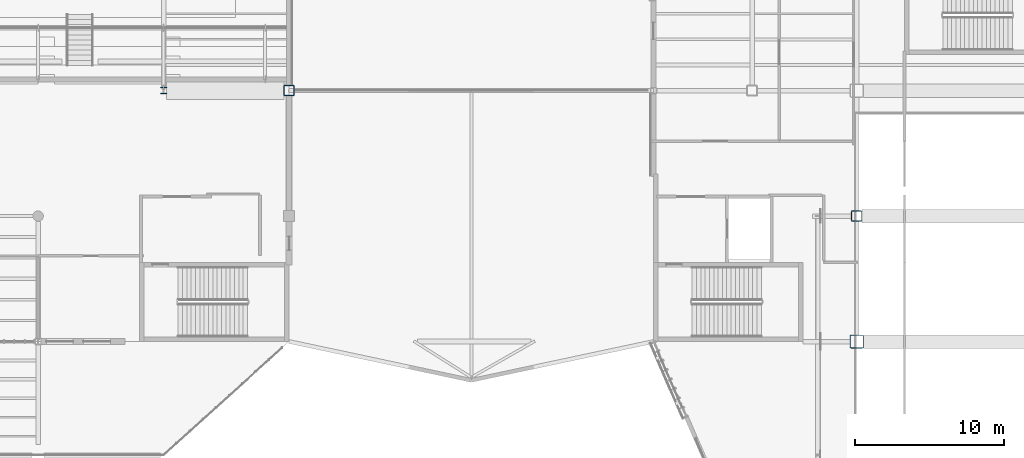
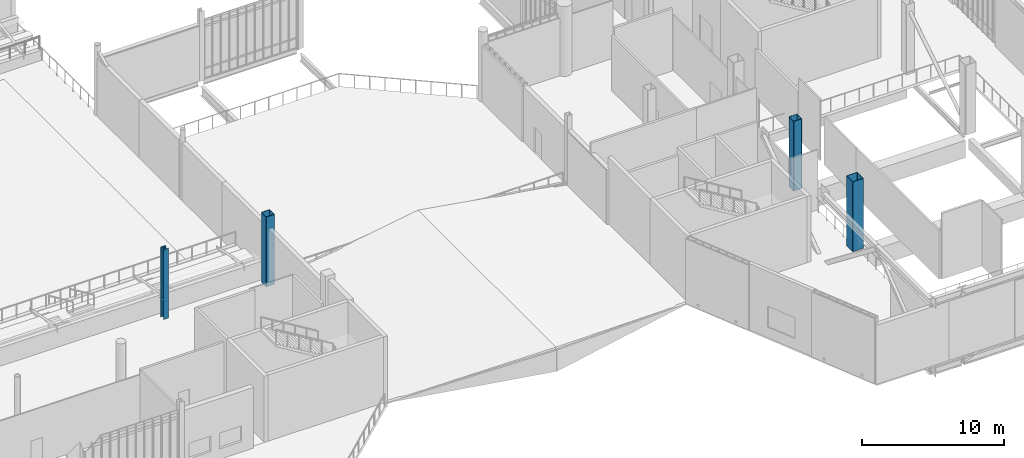
# One storey, part 3 of 135: 4 columns.
"""IFC4 building model written with IfcOpenShell, lengths in metres."""

from ifc_helpers import new_model, si_unit, direction, frame, origin, origin_2d, place, context, subcontext, project, spatial, hollow_rectangle, i_section, extrude, material, material_profile, profile_set, type_object, element, save


model = new_model("IFC4")

# Units and contexts
model_context = context("Model", 3, precision=1e-05, world=origin(), true_north=direction((0.0, 1.0)))
body_context = subcontext(model_context, "Body", "Model", "MODEL_VIEW")
ifc_project = project(units=[si_unit("LENGTHUNIT", "METRE"), si_unit("AREAUNIT", "SQUARE_METRE"), si_unit("VOLUMEUNIT", "CUBIC_METRE"), si_unit("PLANEANGLEUNIT", "RADIAN"), si_unit("MASSUNIT", "GRAM", prefix="KILO")], contexts=[model_context])

# Site, building, storey
site_placement = place(None, origin())
site = spatial("IfcSite", under=ifc_project, at=site_placement, CompositionType="ELEMENT")
building_placement = place(site_placement, origin())
building = spatial("IfcBuilding", under=site, at=building_placement, Name="Larkvane Passage Sports Hall", CompositionType="ELEMENT")
storey_placement = place(building_placement, frame((0.0, 0.0, 10.800048828125)))
storey = spatial("IfcBuildingStorey", under=building, at=storey_placement, Name="L02", CompositionType="ELEMENT", Elevation=10.800048828125)

# Columns
ifc_material = material(Name="Steel S460N", Category="steel")
ifc_material_profile_1 = material_profile(ifc_material, hollow_rectangle(XDim=0.699951171875, YDim=0.699951171875, WallThickness=0.028076171875, InnerFilletRadius=0.028076171875, OuterFilletRadius=0.055908203125, at=origin_2d()), Name="BOX-700x700x28")
ifc_profile_set_1 = profile_set([ifc_material_profile_1], Name="Steel S460N")
column_type_1 = type_object("IfcColumnType", Name="COL-STL-BOX700", PredefinedType="COLUMN", material=ifc_profile_set_1)
for number, where, z_axis, x_axis, name in (
    (1, (93.60009765625, 39.60009765625, 0.0), (0.0, 0.0, 1.0), (1.0, 0.0, 0.0), "Column 13/F L02"),
    (2, (131.60009765625, 31.199951171875, 0.0), (0.0, 0.0, 1.0), (1.0, 0.0, 0.0), "Column 18/E L02"),
):
    element("IfcColumn", number, at=place(storey_placement, frame(where, z_axis=z_axis, x_axis=x_axis)), inside=storey, type_object=column_type_1, Name=name, PredefinedType="COLUMN", context=body_context, shape_type="SweptSolid", body=[
        extrude(hollow_rectangle(XDim=0.699951171875, YDim=0.699951171875, WallThickness=0.028076171875, InnerFilletRadius=0.028076171875, OuterFilletRadius=0.055908203125, at=origin_2d()), origin(), (0.0, 0.0, 1.0), 6.0),
    ])
ifc_material_profile_2 = material_profile(ifc_material, hollow_rectangle(XDim=0.89990234375, YDim=0.89990234375, WallThickness=0.035888671875, InnerFilletRadius=0.035888671875, OuterFilletRadius=0.072021484375, at=origin_2d()), Name="BOX-900x900x36")
ifc_profile_set_2 = profile_set([ifc_material_profile_2], Name="Steel S460N")
column_type_2 = type_object("IfcColumnType", Name="COL-STL-BOX900", PredefinedType="COLUMN", material=ifc_profile_set_2)
column_1_placement = place(storey_placement, frame((131.60009765625, 22.800048828125, 0.0), z_axis=(0.0, 0.0, 1.0), x_axis=(1.0, 0.0, 0.0)))
element("IfcColumn", 3, at=column_1_placement, inside=storey, type_object=column_type_2, Name="Column 18/D L02", PredefinedType="COLUMN", context=body_context, shape_type="SweptSolid", body=[
    extrude(hollow_rectangle(XDim=0.89990234375, YDim=0.89990234375, WallThickness=0.035888671875, InnerFilletRadius=0.035888671875, OuterFilletRadius=0.072021484375, at=origin_2d()), origin(), (0.0, 0.0, 1.0), 6.0),
])
ifc_material_profile_3 = material_profile(ifc_material, i_section(OverallWidth=0.405029296875, OverallDepth=0.4140625, WebThickness=0.01806640625, FlangeThickness=0.028076171875, FilletRadius=0.02197265625, at=origin_2d()), Name="H-414x405x18x28")
ifc_profile_set_3 = profile_set([ifc_material_profile_3], Name="Steel S460N")
column_type_3 = type_object("IfcColumnType", Name="COL-STL-H414", PredefinedType="COLUMN", material=ifc_profile_set_3)
column_2_placement = place(storey_placement, frame((85.199951171875, 39.60009765625, 0.0), z_axis=(0.0, 0.0, 1.0), x_axis=(1.0, 0.0, 0.0)))
element("IfcColumn", 4, at=column_2_placement, inside=storey, type_object=column_type_3, Name="Column 12/F L02", PredefinedType="COLUMN", context=body_context, shape_type="SweptSolid", body=[
    extrude(i_section(OverallWidth=0.405029296875, OverallDepth=0.4140625, WebThickness=0.01806640625, FlangeThickness=0.028076171875, FilletRadius=0.02197265625, at=origin_2d()), origin(), (0.0, 0.0, 1.0), 6.0),
])

save(model, "model.ifc")
